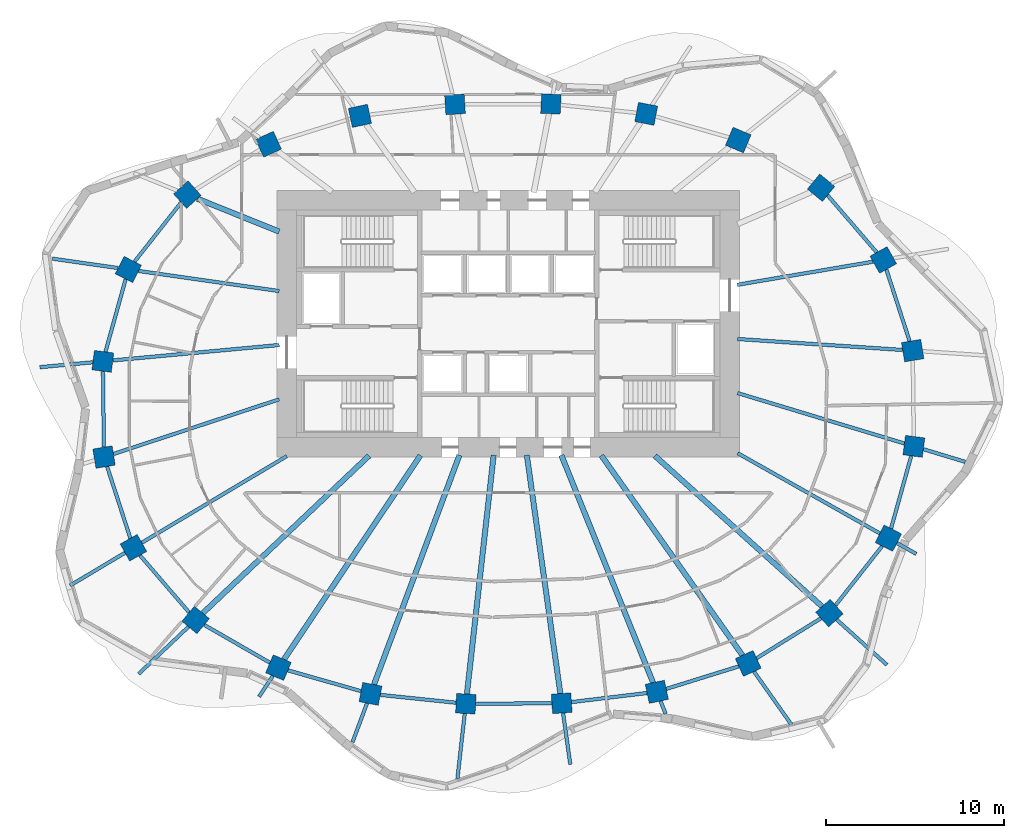
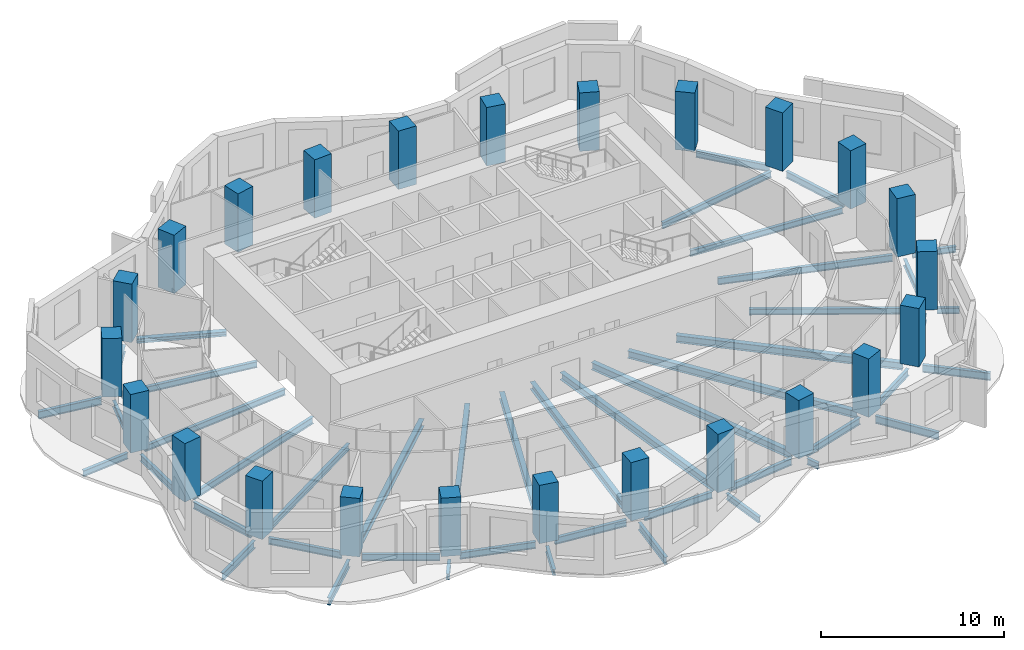
# One storey, part 1 of 10: 46 beams, 24 columns.
"""IFC4 building model written with IfcOpenShell, lengths in metres."""

from ifc_helpers import new_model, si_unit, direction, frame, origin, origin_2d, place, context, subcontext, project, spatial, rectangle, i_section, extrude, material, material_profile, profile_set, type_object, element, save


model = new_model("IFC4")

# Units and contexts
model_context = context("Model", 3, precision=1e-05, world=origin(), true_north=direction((0.0, 1.0)))
body_context = subcontext(model_context, "Body", "Model", "MODEL_VIEW")
ifc_project = project(units=[si_unit("LENGTHUNIT", "METRE"), si_unit("AREAUNIT", "SQUARE_METRE"), si_unit("VOLUMEUNIT", "CUBIC_METRE"), si_unit("PLANEANGLEUNIT", "RADIAN"), si_unit("MASSUNIT", "GRAM", prefix="KILO")], contexts=[model_context])

# Site, building, storey
site_placement = place(None, origin())
site = spatial("IfcSite", under=ifc_project, at=site_placement, CompositionType="ELEMENT")
building_placement = place(site_placement, origin())
building = spatial("IfcBuilding", under=site, at=building_placement, Name="Rubra Terraces Tower", CompositionType="ELEMENT")
storey_placement = place(building_placement, frame((0.0, 0.0, 161.699951171875)))
storey = spatial("IfcBuildingStorey", under=building, at=storey_placement, Name="L39", CompositionType="ELEMENT", Elevation=161.699951171875)

# Columns
ifc_material_1 = material(Name="Concrete C50", Category="concrete")
ifc_material_profile_1 = material_profile(ifc_material_1, rectangle(XDim=1.10009765625, YDim=1.10009765625, at=origin_2d()), Name="RC 1100x1100")
ifc_profile_set_1 = profile_set([ifc_material_profile_1], Name="Concrete C50")
column_type = type_object("IfcColumnType", Name="RING COLUMN RC 1100x1100 C50", PredefinedType="COLUMN", material=ifc_profile_set_1)
for number, where, z_axis, x_axis, name in (
    (1, (22.73388671875, 2.992919921875, 0.0), (0.0, 0.0, 1.0), (-0.162062155721, 0.986780551938, 0.0), "column-L39-ring-01"),
    (2, (21.0810546875, 8.090087890625, 0.0), (0.0, 0.0, 1.0), (-0.490161823029, 0.8716314515, 0.0), "column-L39-ring-02"),
    (3, (17.583984375, 12.15087890625, 0.0), (0.0, 0.0, 1.0), (-0.770679191336, 0.637223339216, 0.0), "column-L39-ring-03"),
    (4, (12.927001953125, 14.83203125, 0.0), (0.0, 0.0, 1.0), (-0.92110553102, 0.389312985558, 0.0), "column-L39-ring-04"),
    (5, (7.7509765625, 16.306884765625, 0.0), (0.0, 0.0, 1.0), (-0.981936574306, 0.189210369799, 0.0), "column-L39-ring-05"),
    (6, (2.39208984375, 16.862060546875, 0.0), (0.0, 0.0, 1.0), (-0.998791416829, 0.049149828786, 0.0), "column-L39-ring-06"),
    (7, (-2.9990234375, 16.8359375, 0.0), (0.0, 0.0, 1.0), (-0.998059443319, -0.062268351524, 0.0), "column-L39-ring-07"),
    (8, (-8.346923828125, 16.19189453125, 0.0), (0.0, 0.0, 1.0), (-0.977944102772, -0.208866780156, 0.0), "column-L39-ring-08"),
    (9, (-13.487060546875, 14.595947265625, 0.0), (0.0, 0.0, 1.0), (-0.90972649622, -0.415208022652, 0.0), "column-L39-ring-09"),
    (10, (-18.051025390625, 11.762939453125, 0.0), (0.0, 0.0, 1.0), (-0.7456420961, -0.66634665492, 0.0), "column-L39-ring-10"),
    (11, (-21.366943359375, 7.553955078125, 0.0), (0.0, 0.0, 1.0), (-0.452078869866, -0.891977968013, 0.0), "column-L39-ring-11"),
    (12, (-22.802001953125, 2.388916015625, 0.0), (0.0, 0.0, 1.0), (-0.128535191473, -0.991704948336, 0.0), "column-L39-ring-12"),
    (13, (-22.73388671875, -2.992919921875, 0.0), (0.0, 0.0, 1.0), (0.162062155721, -0.986780551938, 0.0), "column-L39-ring-13"),
    (14, (-21.0810546875, -8.090087890625, 0.0), (0.0, 0.0, 1.0), (0.490161823029, -0.8716314515, 0.0), "column-L39-ring-14"),
    (15, (-17.583984375, -12.15087890625, 0.0), (0.0, 0.0, 1.0), (0.770679191336, -0.637223339216, 0.0), "column-L39-ring-15"),
    (16, (-12.927001953125, -14.83203125, 0.0), (0.0, 0.0, 1.0), (0.92110553102, -0.389312985558, 0.0), "column-L39-ring-16"),
    (17, (-7.7509765625, -16.306884765625, 0.0), (0.0, 0.0, 1.0), (0.981936574306, -0.189210369799, 0.0), "column-L39-ring-17"),
    (18, (-2.39208984375, -16.862060546875, 0.0), (0.0, 0.0, 1.0), (0.998791416829, -0.049149828786, 0.0), "column-L39-ring-18"),
    (19, (2.9990234375, -16.8359375, 0.0), (0.0, 0.0, 1.0), (0.998059443319, 0.062268351524, 0.0), "column-L39-ring-19"),
    (20, (8.346923828125, -16.19189453125, 0.0), (0.0, 0.0, 1.0), (0.977944102772, 0.208866780156, 0.0), "column-L39-ring-20"),
    (21, (13.487060546875, -14.595947265625, 0.0), (0.0, 0.0, 1.0), (0.90972649622, 0.415208022652, 0.0), "column-L39-ring-21"),
    (22, (18.051025390625, -11.762939453125, 0.0), (0.0, 0.0, 1.0), (0.7456420961, 0.66634665492, 0.0), "column-L39-ring-22"),
    (23, (21.366943359375, -7.553955078125, 0.0), (0.0, 0.0, 1.0), (0.452078869866, 0.891977968013, 0.0), "column-L39-ring-23"),
    (24, (22.802001953125, -2.388916015625, 0.0), (0.0, 0.0, 1.0), (0.128535191473, 0.991704948336, 0.0), "column-L39-ring-24"),
):
    element("IfcColumn", number, at=place(storey_placement, frame(where, z_axis=z_axis, x_axis=x_axis)), inside=storey, type_object=column_type, Name=name, PredefinedType="COLUMN", context=body_context, shape_type="SweptSolid", body=[
        extrude(rectangle(XDim=1.10009765625, YDim=1.10009765625, at=origin_2d()), origin(), (0.0, 0.0, 1.0), 3.900146484375),
    ])

# Beams
ifc_material_2 = material(Name="Steel Q355B", Category="steel")
ifc_material_profile_2 = material_profile(ifc_material_2, i_section(OverallWidth=0.199951171875, OverallDepth=0.39990234375, WebThickness=0.008056640625, FlangeThickness=0.012939453125, at=origin_2d()), Name="HN 400x200x8x13")
ifc_profile_set_2 = profile_set([ifc_material_profile_2], Name="Steel Q355B")
beam_type_1 = type_object("IfcBeamType", Name="CANTILEVER BEAM HN 400x200x8x13", PredefinedType="BEAM", material=ifc_profile_set_2)
beam_1_placement = place(storey_placement, frame((-23.363037109375, 2.3369140625, -0.39990234375), z_axis=(-0.995744832423, -0.09215328916, 0.0), x_axis=(0.09215328916, -0.995744832423, 0.0)))
element("IfcBeam", 25, at=beam_1_placement, inside=storey, type_object=beam_type_1, Name="beam-L39-cant-12", PredefinedType="BEAM", context=body_context, shape_type="SweptSolid", body=[
    extrude(i_section(OverallWidth=0.199951171875, OverallDepth=0.39990234375, WebThickness=0.008056640625, FlangeThickness=0.012939453125, at=origin_2d()), origin(), (0.0, 0.0, 1.0), 2.99365234375),
])
beam_2_placement = place(storey_placement, frame((-7.946044921875, -16.830078125, -0.39990234375), z_axis=(-0.349251509309, -0.937029019426, 0.0), x_axis=(0.937029019426, -0.349251509309, 0.0)))
element("IfcBeam", 26, at=beam_2_placement, inside=storey, type_object=beam_type_1, Name="beam-L39-cant-17", PredefinedType="BEAM", context=body_context, shape_type="SweptSolid", body=[
    extrude(i_section(OverallWidth=0.199951171875, OverallDepth=0.39990234375, WebThickness=0.008056640625, FlangeThickness=0.012939453125, at=origin_2d()), origin(), (0.0, 0.0, 1.0), 2.33056640625),
])
beam_3_placement = place(storey_placement, frame((3.075927734375, -17.382080078125, -0.39990234375), z_axis=(0.139079277025, -0.990281250303, 0.0), x_axis=(0.990281250303, 0.139079277025, 0.0)))
element("IfcBeam", 27, at=beam_3_placement, inside=storey, type_object=beam_type_1, Name="beam-L39-cant-19", PredefinedType="BEAM", context=body_context, shape_type="SweptSolid", body=[
    extrude(i_section(OverallWidth=0.199951171875, OverallDepth=0.39990234375, WebThickness=0.008056640625, FlangeThickness=0.012939453125, at=origin_2d()), origin(), (0.0, 0.0, 1.0), 2.919189453125),
])
beam_4_placement = place(storey_placement, frame((23.3359375, -2.550048828125, -0.39990234375), z_axis=(0.957194777427, -0.289444568211, 0.0), x_axis=(0.289444568211, 0.957194777427, 0.0)))
element("IfcBeam", 28, at=beam_4_placement, inside=storey, type_object=beam_type_1, Name="beam-L39-cant-24", PredefinedType="BEAM", context=body_context, shape_type="SweptSolid", body=[
    extrude(i_section(OverallWidth=0.199951171875, OverallDepth=0.39990234375, WebThickness=0.008056640625, FlangeThickness=0.012939453125, at=origin_2d()), origin(), (0.0, 0.0, 1.0), 2.456298828125),
])
ifc_material_profile_3 = material_profile(ifc_material_2, i_section(OverallWidth=0.198974609375, OverallDepth=0.49609375, WebThickness=0.009033203125, FlangeThickness=0.013916015625, at=origin_2d()), Name="HN 496x199x9x14")
ifc_profile_set_3 = profile_set([ifc_material_profile_3], Name="Steel Q355B")
beam_type_2 = type_object("IfcBeamType", Name="CANTILEVER BEAM HN 496x199x9x14", PredefinedType="BEAM", material=ifc_profile_set_3)
beam_5_placement = place(storey_placement, frame((-21.94189453125, 7.635986328125, -0.447998046875), z_axis=(-0.989910149881, 0.14169648959, 0.0), x_axis=(-0.14169648959, -0.989910149881, 0.0)))
element("IfcBeam", 29, at=beam_5_placement, inside=storey, type_object=beam_type_2, Name="beam-L39-cant-11", PredefinedType="BEAM", context=body_context, shape_type="SweptSolid", body=[
    extrude(i_section(OverallWidth=0.198974609375, OverallDepth=0.49609375, WebThickness=0.009033203125, FlangeThickness=0.013916015625, at=origin_2d()), origin(), (0.0, 0.0, 1.0), 3.726806640625),
])
beam_6_placement = place(storey_placement, frame((-21.552978515625, -8.3720703125, -0.447998046875), z_axis=(-0.858652370402, -0.512558393555, 0.0), x_axis=(0.512558393555, -0.858652370402, 0.0)))
element("IfcBeam", 30, at=beam_6_placement, inside=storey, type_object=beam_type_2, Name="beam-L39-cant-14", PredefinedType="BEAM", context=body_context, shape_type="SweptSolid", body=[
    extrude(i_section(OverallWidth=0.198974609375, OverallDepth=0.49609375, WebThickness=0.009033203125, FlangeThickness=0.013916015625, at=origin_2d()), origin(), (0.0, 0.0, 1.0), 3.59765625),
])
beam_7_placement = place(storey_placement, frame((-17.986083984375, -12.531982421875, -0.447998046875), z_axis=(-0.726120399641, -0.687567571389, 0.0), x_axis=(0.687567571389, -0.726120399641, 0.0)))
element("IfcBeam", 31, at=beam_7_placement, inside=storey, type_object=beam_type_2, Name="beam-L39-cant-15", PredefinedType="BEAM", context=body_context, shape_type="SweptSolid", body=[
    extrude(i_section(OverallWidth=0.198974609375, OverallDepth=0.49609375, WebThickness=0.009033203125, FlangeThickness=0.013916015625, at=origin_2d()), origin(), (0.0, 0.0, 1.0), 3.86279296875),
])
beam_8_placement = place(storey_placement, frame((-2.452880859375, -17.409912109375, -0.447998046875), z_axis=(-0.111342917897, -0.99378204584, 0.0), x_axis=(0.99378204584, -0.111342917897, 0.0)))
element("IfcBeam", 32, at=beam_8_placement, inside=storey, type_object=beam_type_2, Name="beam-L39-cant-18", PredefinedType="BEAM", context=body_context, shape_type="SweptSolid", body=[
    extrude(i_section(OverallWidth=0.198974609375, OverallDepth=0.49609375, WebThickness=0.009033203125, FlangeThickness=0.013916015625, at=origin_2d()), origin(), (0.0, 0.0, 1.0), 3.675048828125),
])
beam_9_placement = place(storey_placement, frame((13.81005859375, -15.052978515625, -0.447998046875), z_axis=(0.57685953172, -0.816843363604, 0.0), x_axis=(0.816843363604, 0.57685953172, 0.0)))
element("IfcBeam", 33, at=beam_9_placement, inside=storey, type_object=beam_type_2, Name="beam-L39-cant-21", PredefinedType="BEAM", context=body_context, shape_type="SweptSolid", body=[
    extrude(i_section(OverallWidth=0.198974609375, OverallDepth=0.49609375, WebThickness=0.009033203125, FlangeThickness=0.013916015625, at=origin_2d()), origin(), (0.0, 0.0, 1.0), 3.8046875),
])
beam_10_placement = place(storey_placement, frame((18.4619140625, -12.133056640625, -0.447998046875), z_axis=(0.743022306615, -0.669266652294, 0.0), x_axis=(0.669266652294, 0.743022306615, 0.0)))
element("IfcBeam", 34, at=beam_10_placement, inside=storey, type_object=beam_type_2, Name="beam-L39-cant-22", PredefinedType="BEAM", context=body_context, shape_type="SweptSolid", body=[
    extrude(i_section(OverallWidth=0.198974609375, OverallDepth=0.49609375, WebThickness=0.009033203125, FlangeThickness=0.013916015625, at=origin_2d()), origin(), (0.0, 0.0, 1.0), 3.796630859375),
])
ifc_material_profile_4 = material_profile(ifc_material_2, i_section(OverallWidth=0.199951171875, OverallDepth=0.39990234375, WebThickness=0.008056640625, FlangeThickness=0.012939453125, at=origin_2d()), Name="HN 400x200x8x13")
ifc_profile_set_4 = profile_set([ifc_material_profile_4], Name="Steel Q355B")
beam_type_3 = type_object("IfcBeamType", Name="CANTILEVER STUB HN 400x200x8x13", PredefinedType="BEAM", material=ifc_profile_set_4)
beam_11_placement = place(storey_placement, frame((-13.238037109375, -15.298095703125, -0.39990234375), z_axis=(-0.556024795441, -0.831165703608, 0.0), x_axis=(0.831165703608, -0.556024795441, 0.0)))
element("IfcBeam", 35, at=beam_11_placement, inside=storey, type_object=beam_type_3, Name="beam-L39-cant-16", PredefinedType="BEAM", context=body_context, shape_type="SweptSolid", body=[
    extrude(i_section(OverallWidth=0.199951171875, OverallDepth=0.39990234375, WebThickness=0.008056640625, FlangeThickness=0.012939453125, at=origin_2d()), origin(), (0.0, 0.0, 1.0), 1.40283203125),
])
beam_12_placement = place(storey_placement, frame((8.555908203125, -16.7099609375, -0.39990234375), z_axis=(0.373893856484, -0.927471500416, 0.0), x_axis=(0.927471500416, 0.373893856484, 0.0)))
element("IfcBeam", 36, at=beam_12_placement, inside=storey, type_object=beam_type_3, Name="beam-L39-cant-20", PredefinedType="BEAM", context=body_context, shape_type="SweptSolid", body=[
    extrude(i_section(OverallWidth=0.199951171875, OverallDepth=0.39990234375, WebThickness=0.008056640625, FlangeThickness=0.012939453125, at=origin_2d()), origin(), (0.0, 0.0, 1.0), 0.773193359375),
])
beam_13_placement = place(storey_placement, frame((21.846923828125, -7.824951171875, -0.39990234375), z_axis=(0.87111405992, -0.491080741437, 0.0), x_axis=(0.491080741437, 0.87111405992, 0.0)))
element("IfcBeam", 37, at=beam_13_placement, inside=storey, type_object=beam_type_3, Name="beam-L39-cant-23", PredefinedType="BEAM", context=body_context, shape_type="SweptSolid", body=[
    extrude(i_section(OverallWidth=0.199951171875, OverallDepth=0.39990234375, WebThickness=0.008056640625, FlangeThickness=0.012939453125, at=origin_2d()), origin(), (0.0, 0.0, 1.0), 1.244384765625),
])
ifc_material_profile_5 = material_profile(ifc_material_2, i_section(OverallWidth=0.300048828125, OverallDepth=0.48193359375, WebThickness=0.010986328125, FlangeThickness=0.014892578125, at=origin_2d()), Name="HM 482x300x11x15")
ifc_profile_set_5 = profile_set([ifc_material_profile_5], Name="Steel Q355B")
beam_type_4 = type_object("IfcBeamType", Name="FLOOR BEAM HM 482x300x11x15", PredefinedType="BEAM", material=ifc_profile_set_5)
beam_14_placement = place(storey_placement, frame((-17.181884765625, -11.77001953125, -0.44091796875), z_axis=(0.726100153208, 0.687588952436, 0.0), x_axis=(-0.687588952436, 0.726100153208, 0.0)))
element("IfcBeam", 38, at=beam_14_placement, inside=storey, type_object=beam_type_4, Name="beam-L39-floor-15", PredefinedType="BEAM", context=body_context, shape_type="SweptSolid", body=[
    extrude(i_section(OverallWidth=0.300048828125, OverallDepth=0.48193359375, WebThickness=0.010986328125, FlangeThickness=0.014892578125, at=origin_2d()), origin(), (0.0, 0.0, 1.0), 12.87548828125),
])
beam_15_placement = place(storey_placement, frame((-12.615966796875, -14.365966796875, -0.44091796875), z_axis=(0.555900449773, 0.831248873649, 0.0), x_axis=(-0.831248873649, 0.555900449773, 0.0)))
element("IfcBeam", 39, at=beam_15_placement, inside=storey, type_object=beam_type_4, Name="beam-L39-floor-16", PredefinedType="BEAM", context=body_context, shape_type="SweptSolid", body=[
    extrude(i_section(OverallWidth=0.300048828125, OverallDepth=0.48193359375, WebThickness=0.010986328125, FlangeThickness=0.014892578125, at=origin_2d()), origin(), (0.0, 0.0, 1.0), 13.793701171875),
])
beam_16_placement = place(storey_placement, frame((-7.555908203125, -15.783935546875, -0.44091796875), z_axis=(0.349081226263, 0.937092470075, 0.0), x_axis=(-0.937092470075, 0.349081226263, 0.0)))
element("IfcBeam", 40, at=beam_16_placement, inside=storey, type_object=beam_type_4, Name="beam-L39-floor-17", PredefinedType="BEAM", context=body_context, shape_type="SweptSolid", body=[
    extrude(i_section(OverallWidth=0.300048828125, OverallDepth=0.48193359375, WebThickness=0.010986328125, FlangeThickness=0.014892578125, at=origin_2d()), origin(), (0.0, 0.0, 1.0), 13.76171875),
])
beam_17_placement = place(storey_placement, frame((-2.3310546875, -16.31396484375, -0.44091796875), z_axis=(0.111351311584, 0.993781105379, 0.0), x_axis=(-0.993781105379, 0.111351311584, 0.0)))
element("IfcBeam", 41, at=beam_17_placement, inside=storey, type_object=beam_type_4, Name="beam-L39-floor-18", PredefinedType="BEAM", context=body_context, shape_type="SweptSolid", body=[
    extrude(i_section(OverallWidth=0.300048828125, OverallDepth=0.48193359375, WebThickness=0.010986328125, FlangeThickness=0.014892578125, at=origin_2d()), origin(), (0.0, 0.0, 1.0), 13.516845703125),
])
beam_18_placement = place(storey_placement, frame((2.922119140625, -16.2900390625, -0.44091796875), z_axis=(-0.139139078011, 0.990272849759, 0.0), x_axis=(-0.990272849759, -0.139139078011, 0.0)))
element("IfcBeam", 42, at=beam_18_placement, inside=storey, type_object=beam_type_4, Name="beam-L39-floor-19", PredefinedType="BEAM", context=body_context, shape_type="SweptSolid", body=[
    extrude(i_section(OverallWidth=0.300048828125, OverallDepth=0.48193359375, WebThickness=0.010986328125, FlangeThickness=0.014892578125, at=origin_2d()), origin(), (0.0, 0.0, 1.0), 13.54052734375),
])
beam_19_placement = place(storey_placement, frame((8.137939453125, -15.674072265625, -0.44091796875), z_axis=(-0.374072995757, 0.927399263449, 0.0), x_axis=(-0.927399263449, -0.374072995757, 0.0)))
element("IfcBeam", 43, at=beam_19_placement, inside=storey, type_object=beam_type_4, Name="beam-L39-floor-20", PredefinedType="BEAM", context=body_context, shape_type="SweptSolid", body=[
    extrude(i_section(OverallWidth=0.300048828125, OverallDepth=0.48193359375, WebThickness=0.010986328125, FlangeThickness=0.014892578125, at=origin_2d()), origin(), (0.0, 0.0, 1.0), 13.7861328125),
])
beam_20_placement = place(storey_placement, frame((13.1640625, -14.138916015625, -0.44091796875), z_axis=(-0.576885242087, 0.816825206187, 0.0), x_axis=(-0.816825206187, -0.576885242087, 0.0)))
element("IfcBeam", 44, at=beam_20_placement, inside=storey, type_object=beam_type_4, Name="beam-L39-floor-21", PredefinedType="BEAM", context=body_context, shape_type="SweptSolid", body=[
    extrude(i_section(OverallWidth=0.300048828125, OverallDepth=0.48193359375, WebThickness=0.010986328125, FlangeThickness=0.014892578125, at=origin_2d()), origin(), (0.0, 0.0, 1.0), 13.756591796875),
])
beam_21_placement = place(storey_placement, frame((17.639892578125, -11.39306640625, -0.44091796875), z_axis=(-0.742946892742, 0.669350367569, 0.0), x_axis=(-0.669350367569, -0.742946892742, 0.0)))
element("IfcBeam", 45, at=beam_21_placement, inside=storey, type_object=beam_type_4, Name="beam-L39-floor-22", PredefinedType="BEAM", context=body_context, shape_type="SweptSolid", body=[
    extrude(i_section(OverallWidth=0.300048828125, OverallDepth=0.48193359375, WebThickness=0.010986328125, FlangeThickness=0.014892578125, at=origin_2d()), origin(), (0.0, 0.0, 1.0), 12.65869140625),
])
ifc_material_profile_6 = material_profile(ifc_material_2, i_section(OverallWidth=0.199951171875, OverallDepth=0.39990234375, WebThickness=0.008056640625, FlangeThickness=0.012939453125, at=origin_2d()), Name="HN 400x200x8x13")
ifc_profile_set_6 = profile_set([ifc_material_profile_6], Name="Steel Q355B")
beam_type_5 = type_object("IfcBeamType", Name="FLOOR BEAM HN 400x200x8x13", PredefinedType="BEAM", material=ifc_profile_set_6)
beam_22_placement = place(storey_placement, frame((22.169921875, 3.030029296875, -0.39990234375), z_axis=(-0.997809110543, 0.0661587403, 0.0), x_axis=(-0.0661587403, -0.997809110543, 0.0)))
element("IfcBeam", 46, at=beam_22_placement, inside=storey, type_object=beam_type_5, Name="beam-L39-floor-01", PredefinedType="BEAM", context=body_context, shape_type="SweptSolid", body=[
    extrude(i_section(OverallWidth=0.199951171875, OverallDepth=0.39990234375, WebThickness=0.008056640625, FlangeThickness=0.012939453125, at=origin_2d()), origin(), (0.0, 0.0, 1.0), 9.310546875),
])
beam_23_placement = place(storey_placement, frame((20.5048828125, 7.991943359375, -0.39990234375), z_axis=(-0.985813612303, -0.167843742209, 0.0), x_axis=(0.167843742209, -0.985813612303, 0.0)))
element("IfcBeam", 47, at=beam_23_placement, inside=storey, type_object=beam_type_5, Name="beam-L39-floor-02", PredefinedType="BEAM", context=body_context, shape_type="SweptSolid", body=[
    extrude(i_section(OverallWidth=0.199951171875, OverallDepth=0.39990234375, WebThickness=0.008056640625, FlangeThickness=0.012939453125, at=origin_2d()), origin(), (0.0, 0.0, 1.0), 7.732421875),
])
beam_24_placement = place(storey_placement, frame((-20.7919921875, 7.471923828125, -0.39990234375), z_axis=(0.989936658262, -0.141511174924, 0.0), x_axis=(0.141511174924, 0.989936658262, 0.0)))
element("IfcBeam", 48, at=beam_24_placement, inside=storey, type_object=beam_type_5, Name="beam-L39-floor-11", PredefinedType="BEAM", context=body_context, shape_type="SweptSolid", body=[
    extrude(i_section(OverallWidth=0.199951171875, OverallDepth=0.39990234375, WebThickness=0.008056640625, FlangeThickness=0.012939453125, at=origin_2d()), origin(), (0.0, 0.0, 1.0), 7.9912109375),
])
beam_25_placement = place(storey_placement, frame((-22.240966796875, 2.44091796875, -0.39990234375), z_axis=(0.995735462061, 0.092254482791, 0.0), x_axis=(-0.092254482791, 0.995735462061, 0.0)))
element("IfcBeam", 49, at=beam_25_placement, inside=storey, type_object=beam_type_5, Name="beam-L39-floor-12", PredefinedType="BEAM", context=body_context, shape_type="SweptSolid", body=[
    extrude(i_section(OverallWidth=0.199951171875, OverallDepth=0.39990234375, WebThickness=0.008056640625, FlangeThickness=0.012939453125, at=origin_2d()), origin(), (0.0, 0.0, 1.0), 9.39990234375),
])
beam_26_placement = place(storey_placement, frame((-20.60888671875, -7.80810546875, -0.39990234375), z_axis=(0.858520950698, 0.51277848747, 0.0), x_axis=(-0.51277848747, 0.858520950698, 0.0)))
element("IfcBeam", 50, at=beam_26_placement, inside=storey, type_object=beam_type_5, Name="beam-L39-floor-14", PredefinedType="BEAM", context=body_context, shape_type="SweptSolid", body=[
    extrude(i_section(OverallWidth=0.199951171875, OverallDepth=0.39990234375, WebThickness=0.008056640625, FlangeThickness=0.012939453125, at=origin_2d()), origin(), (0.0, 0.0, 1.0), 9.49755859375),
])
beam_27_placement = place(storey_placement, frame((20.886962890625, -7.282958984375, -0.39990234375), z_axis=(-0.870988685804, 0.491303072656, 0.0), x_axis=(-0.491303072656, -0.870988685804, 0.0)))
element("IfcBeam", 51, at=beam_27_placement, inside=storey, type_object=beam_type_5, Name="beam-L39-floor-23", PredefinedType="BEAM", context=body_context, shape_type="SweptSolid", body=[
    extrude(i_section(OverallWidth=0.199951171875, OverallDepth=0.39990234375, WebThickness=0.008056640625, FlangeThickness=0.012939453125, at=origin_2d()), origin(), (0.0, 0.0, 1.0), 9.17578125),
])
ifc_material_profile_7 = material_profile(ifc_material_2, i_section(OverallWidth=0.198974609375, OverallDepth=0.446044921875, WebThickness=0.008056640625, FlangeThickness=0.011962890625, at=origin_2d()), Name="HN 446x199x8x12")
ifc_profile_set_7 = profile_set([ifc_material_profile_7], Name="Steel Q355B")
beam_type_6 = type_object("IfcBeamType", Name="FLOOR BEAM HN 446x199x8x12", PredefinedType="BEAM", material=ifc_profile_set_7)
beam_28_placement = place(storey_placement, frame((-22.205078125, -2.819091796875, -0.4228515625), z_axis=(0.949728041792, 0.313076103583, 0.0), x_axis=(-0.313076103583, 0.949728041792, 0.0)))
element("IfcBeam", 52, at=beam_28_placement, inside=storey, type_object=beam_type_6, Name="beam-L39-floor-13", PredefinedType="BEAM", context=body_context, shape_type="SweptSolid", body=[
    extrude(i_section(OverallWidth=0.198974609375, OverallDepth=0.446044921875, WebThickness=0.008056640625, FlangeThickness=0.011962890625, at=origin_2d()), origin(), (0.0, 0.0, 1.0), 9.8125),
])
beam_29_placement = place(storey_placement, frame((22.26806640625, -2.22802734375, -0.4228515625), z_axis=(-0.957261634756, 0.289223378419, 0.0), x_axis=(-0.289223378419, -0.957261634756, 0.0)))
element("IfcBeam", 53, at=beam_29_placement, inside=storey, type_object=beam_type_6, Name="beam-L39-floor-24", PredefinedType="BEAM", context=body_context, shape_type="SweptSolid", body=[
    extrude(i_section(OverallWidth=0.198974609375, OverallDepth=0.446044921875, WebThickness=0.008056640625, FlangeThickness=0.011962890625, at=origin_2d()), origin(), (0.0, 0.0, 1.0), 9.802001953125),
])
ifc_material_profile_8 = material_profile(ifc_material_2, i_section(OverallWidth=0.304931640625, OverallDepth=0.300048828125, WebThickness=0.014892578125, FlangeThickness=0.014892578125, at=origin_2d()), Name="HW 300x305x15x15")
ifc_profile_set_8 = profile_set([ifc_material_profile_8], Name="Steel Q355B")
beam_type_7 = type_object("IfcBeamType", Name="FLOOR BEAM HW 300x305x15x15", PredefinedType="BEAM", material=ifc_profile_set_8)
beam_30_placement = place(storey_placement, frame((-17.48193359375, 11.533935546875, -0.349853515625), z_axis=(0.927730023822, -0.373251929533, 0.0), x_axis=(0.373251929533, 0.927730023822, 0.0)))
element("IfcBeam", 54, at=beam_30_placement, inside=storey, type_object=beam_type_7, Name="beam-L39-floor-10", PredefinedType="BEAM", context=body_context, shape_type="SweptSolid", body=[
    extrude(i_section(OverallWidth=0.304931640625, OverallDepth=0.300048828125, WebThickness=0.014892578125, FlangeThickness=0.014892578125, at=origin_2d()), origin(), (0.0, 0.0, 1.0), 4.950927734375),
])
ifc_material_profile_9 = material_profile(ifc_material_2, i_section(OverallWidth=0.198974609375, OverallDepth=0.446044921875, WebThickness=0.008056640625, FlangeThickness=0.011962890625, at=origin_2d()), Name="HN 446x199x8x12")
ifc_profile_set_9 = profile_set([ifc_material_profile_9], Name="Steel Q355B")
beam_type_8 = type_object("IfcBeamType", Name="SPANDREL BEAM HN 446x199x8x12", PredefinedType="SPANDREL", material=ifc_profile_set_9)
beam_31_placement = place(storey_placement, frame((22.56201171875, 3.52197265625, -0.4228515625), z_axis=(-0.308462461648, 0.951236516201, 0.0), x_axis=(-0.951236516201, -0.308462461648, 0.0)))
element("IfcBeam", 55, at=beam_31_placement, inside=storey, type_object=beam_type_8, Name="beam-L39-spandrel-01", PredefinedType="SPANDREL", context=body_context, shape_type="SweptSolid", body=[
    extrude(i_section(OverallWidth=0.198974609375, OverallDepth=0.446044921875, WebThickness=0.008056640625, FlangeThickness=0.011962890625, at=origin_2d()), origin(), (0.0, 0.0, 1.0), 4.24072265625),
])
beam_32_placement = place(storey_placement, frame((20.715087890625, 8.514892578125, -0.4228515625), z_axis=(-0.65255344008, 0.757742705567, 0.0), x_axis=(-0.757742705567, -0.65255344008, 0.0)))
element("IfcBeam", 56, at=beam_32_placement, inside=storey, type_object=beam_type_8, Name="beam-L39-spandrel-02", PredefinedType="SPANDREL", context=body_context, shape_type="SweptSolid", body=[
    extrude(i_section(OverallWidth=0.198974609375, OverallDepth=0.446044921875, WebThickness=0.008056640625, FlangeThickness=0.011962890625, at=origin_2d()), origin(), (0.0, 0.0, 1.0), 4.240478515625),
])
beam_33_placement = place(storey_placement, frame((-18.39697265625, 11.323974609375, -0.4228515625), z_axis=(-0.618917461688, -0.785456030353, 0.0), x_axis=(0.785456030353, -0.618917461688, 0.0)))
element("IfcBeam", 57, at=beam_33_placement, inside=storey, type_object=beam_type_8, Name="beam-L39-spandrel-10", PredefinedType="SPANDREL", context=body_context, shape_type="SweptSolid", body=[
    extrude(i_section(OverallWidth=0.198974609375, OverallDepth=0.446044921875, WebThickness=0.008056640625, FlangeThickness=0.011962890625, at=origin_2d()), origin(), (0.0, 0.0, 1.0), 4.238037109375),
])
beam_34_placement = place(storey_placement, frame((-21.51708984375, 7.013916015625, -0.4228515625), z_axis=(-0.267626064819, -0.96352285361, 0.0), x_axis=(0.96352285361, -0.267626064819, 0.0)))
element("IfcBeam", 58, at=beam_34_placement, inside=storey, type_object=beam_type_8, Name="beam-L39-spandrel-11", PredefinedType="SPANDREL", context=body_context, shape_type="SweptSolid", body=[
    extrude(i_section(OverallWidth=0.198974609375, OverallDepth=0.446044921875, WebThickness=0.008056640625, FlangeThickness=0.011962890625, at=origin_2d()), origin(), (0.0, 0.0, 1.0), 4.24462890625),
])
beam_35_placement = place(storey_placement, frame((-22.794921875, 1.8330078125, -0.4228515625), z_axis=(0.012634783266, -0.99992017794, 0.0), x_axis=(0.99992017794, 0.012634783266, 0.0)))
element("IfcBeam", 59, at=beam_35_placement, inside=storey, type_object=beam_type_8, Name="beam-L39-spandrel-12", PredefinedType="SPANDREL", context=body_context, shape_type="SweptSolid", body=[
    extrude(i_section(OverallWidth=0.198974609375, OverallDepth=0.446044921875, WebThickness=0.008056640625, FlangeThickness=0.011962890625, at=origin_2d()), origin(), (0.0, 0.0, 1.0), 4.270263671875),
])
beam_36_placement = place(storey_placement, frame((-22.56201171875, -3.52197265625, -0.4228515625), z_axis=(0.308462461648, -0.951236516201, 0.0), x_axis=(0.951236516201, 0.308462461648, 0.0)))
element("IfcBeam", 60, at=beam_36_placement, inside=storey, type_object=beam_type_8, Name="beam-L39-spandrel-13", PredefinedType="SPANDREL", context=body_context, shape_type="SweptSolid", body=[
    extrude(i_section(OverallWidth=0.198974609375, OverallDepth=0.446044921875, WebThickness=0.008056640625, FlangeThickness=0.011962890625, at=origin_2d()), origin(), (0.0, 0.0, 1.0), 4.24072265625),
])
beam_37_placement = place(storey_placement, frame((-20.715087890625, -8.514892578125, -0.4228515625), z_axis=(0.65255344008, -0.757742705567, 0.0), x_axis=(0.757742705567, 0.65255344008, 0.0)))
element("IfcBeam", 61, at=beam_37_placement, inside=storey, type_object=beam_type_8, Name="beam-L39-spandrel-14", PredefinedType="SPANDREL", context=body_context, shape_type="SweptSolid", body=[
    extrude(i_section(OverallWidth=0.198974609375, OverallDepth=0.446044921875, WebThickness=0.008056640625, FlangeThickness=0.011962890625, at=origin_2d()), origin(), (0.0, 0.0, 1.0), 4.240478515625),
])
beam_38_placement = place(storey_placement, frame((-17.10009765625, -12.428955078125, -0.4228515625), z_axis=(0.866560147027, -0.49907265161, 0.0), x_axis=(0.49907265161, 0.866560147027, 0.0)))
element("IfcBeam", 62, at=beam_38_placement, inside=storey, type_object=beam_type_8, Name="beam-L39-spandrel-15", PredefinedType="SPANDREL", context=body_context, shape_type="SweptSolid", body=[
    extrude(i_section(OverallWidth=0.198974609375, OverallDepth=0.446044921875, WebThickness=0.008056640625, FlangeThickness=0.011962890625, at=origin_2d()), origin(), (0.0, 0.0, 1.0), 4.26171875),
])
beam_39_placement = place(storey_placement, frame((-12.39404296875, -14.98388671875, -0.4228515625), z_axis=(0.961693978406, -0.274125321518, 0.0), x_axis=(0.274125321518, 0.961693978406, 0.0)))
element("IfcBeam", 63, at=beam_39_placement, inside=storey, type_object=beam_type_8, Name="beam-L39-spandrel-16", PredefinedType="SPANDREL", context=body_context, shape_type="SweptSolid", body=[
    extrude(i_section(OverallWidth=0.198974609375, OverallDepth=0.446044921875, WebThickness=0.008056640625, FlangeThickness=0.011962890625, at=origin_2d()), origin(), (0.0, 0.0, 1.0), 4.27587890625),
])
beam_40_placement = place(storey_placement, frame((-7.201904296875, -16.364013671875, -0.4228515625), z_axis=(0.994691190497, -0.102904983103, 0.0), x_axis=(0.102904983103, 0.994691190497, 0.0)))
element("IfcBeam", 64, at=beam_40_placement, inside=storey, type_object=beam_type_8, Name="beam-L39-spandrel-17", PredefinedType="SPANDREL", context=body_context, shape_type="SweptSolid", body=[
    extrude(i_section(OverallWidth=0.198974609375, OverallDepth=0.446044921875, WebThickness=0.008056640625, FlangeThickness=0.011962890625, at=origin_2d()), origin(), (0.0, 0.0, 1.0), 4.28466796875),
])
beam_41_placement = place(storey_placement, frame((-1.841064453125, -16.85888671875, -0.4228515625), z_axis=(0.999989371096, 0.004610606731, 0.0), x_axis=(-0.004610606731, 0.999989371096, 0.0)))
element("IfcBeam", 65, at=beam_41_placement, inside=storey, type_object=beam_type_8, Name="beam-L39-spandrel-18", PredefinedType="SPANDREL", context=body_context, shape_type="SweptSolid", body=[
    extrude(i_section(OverallWidth=0.198974609375, OverallDepth=0.446044921875, WebThickness=0.008056640625, FlangeThickness=0.011962890625, at=origin_2d()), origin(), (0.0, 0.0, 1.0), 4.2890625),
])
beam_42_placement = place(storey_placement, frame((3.5458984375, -16.77001953125, -0.4228515625), z_axis=(0.992833084949, 0.119509269223, 0.0), x_axis=(-0.119509269223, 0.992833084949, 0.0)))
element("IfcBeam", 66, at=beam_42_placement, inside=storey, type_object=beam_type_8, Name="beam-L39-spandrel-19", PredefinedType="SPANDREL", context=body_context, shape_type="SweptSolid", body=[
    extrude(i_section(OverallWidth=0.198974609375, OverallDepth=0.446044921875, WebThickness=0.008056640625, FlangeThickness=0.011962890625, at=origin_2d()), origin(), (0.0, 0.0, 1.0), 4.283935546875),
])
beam_43_placement = place(storey_placement, frame((8.8740234375, -16.028076171875, -0.4228515625), z_axis=(0.955002801089, 0.296596780008, 0.0), x_axis=(-0.296596780008, 0.955002801089, 0.0)))
element("IfcBeam", 67, at=beam_43_placement, inside=storey, type_object=beam_type_8, Name="beam-L39-spandrel-20", PredefinedType="SPANDREL", context=body_context, shape_type="SweptSolid", body=[
    extrude(i_section(OverallWidth=0.198974609375, OverallDepth=0.446044921875, WebThickness=0.008056640625, FlangeThickness=0.011962890625, at=origin_2d()), origin(), (0.0, 0.0, 1.0), 4.275390625),
])
beam_44_placement = place(storey_placement, frame((13.9580078125, -14.303955078125, -0.4228515625), z_axis=(0.849549830498, 0.527508374816, 0.0), x_axis=(-0.527508374816, 0.849549830498, 0.0)))
element("IfcBeam", 68, at=beam_44_placement, inside=storey, type_object=beam_type_8, Name="beam-L39-spandrel-21", PredefinedType="SPANDREL", context=body_context, shape_type="SweptSolid", body=[
    extrude(i_section(OverallWidth=0.198974609375, OverallDepth=0.446044921875, WebThickness=0.008056640625, FlangeThickness=0.011962890625, at=origin_2d()), origin(), (0.0, 0.0, 1.0), 4.259765625),
])
beam_45_placement = place(storey_placement, frame((18.39697265625, -11.323974609375, -0.4228515625), z_axis=(0.618917461688, 0.785456030353, 0.0), x_axis=(-0.785456030353, 0.618917461688, 0.0)))
element("IfcBeam", 69, at=beam_45_placement, inside=storey, type_object=beam_type_8, Name="beam-L39-spandrel-22", PredefinedType="SPANDREL", context=body_context, shape_type="SweptSolid", body=[
    extrude(i_section(OverallWidth=0.198974609375, OverallDepth=0.446044921875, WebThickness=0.008056640625, FlangeThickness=0.011962890625, at=origin_2d()), origin(), (0.0, 0.0, 1.0), 4.238037109375),
])
beam_46_placement = place(storey_placement, frame((21.51708984375, -7.013916015625, -0.4228515625), z_axis=(0.267626064819, 0.96352285361, 0.0), x_axis=(-0.96352285361, 0.267626064819, 0.0)))
element("IfcBeam", 70, at=beam_46_placement, inside=storey, type_object=beam_type_8, Name="beam-L39-spandrel-23", PredefinedType="SPANDREL", context=body_context, shape_type="SweptSolid", body=[
    extrude(i_section(OverallWidth=0.198974609375, OverallDepth=0.446044921875, WebThickness=0.008056640625, FlangeThickness=0.011962890625, at=origin_2d()), origin(), (0.0, 0.0, 1.0), 4.24462890625),
])

save(model, "model.ifc")
